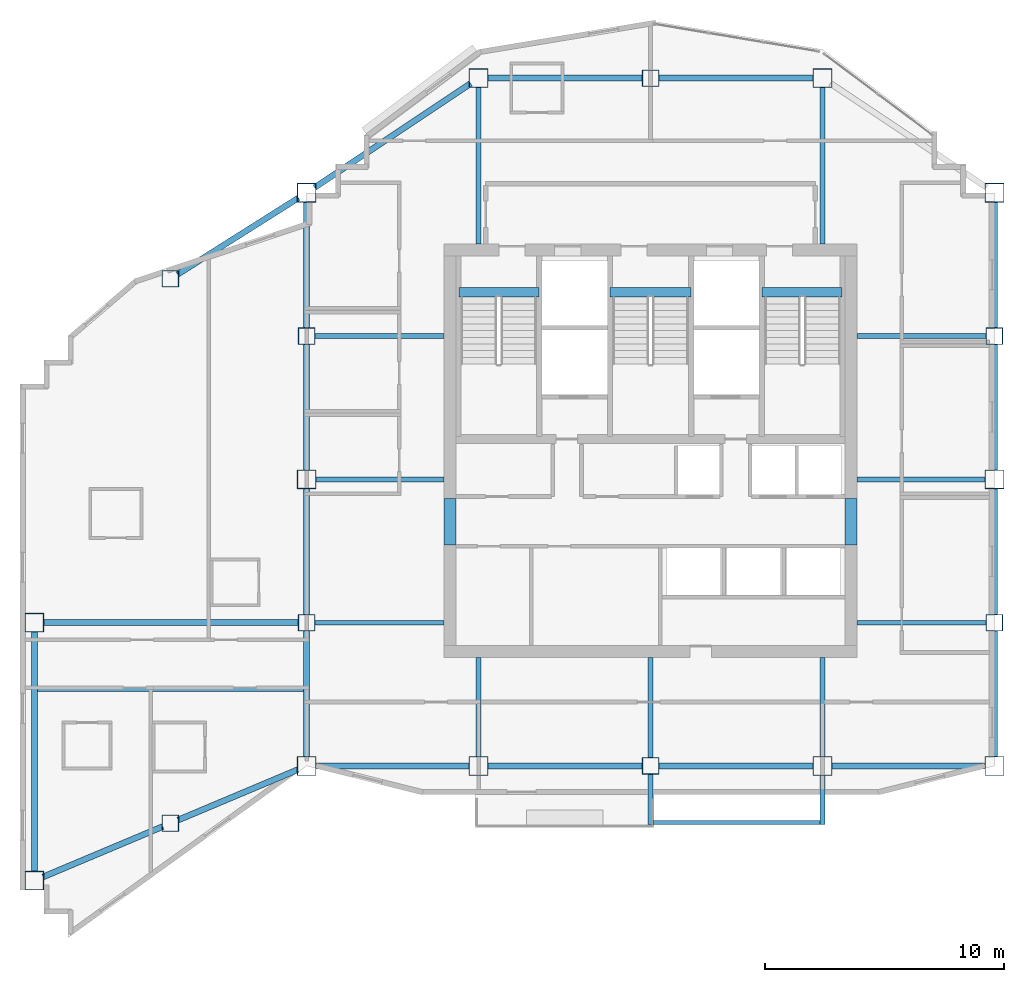
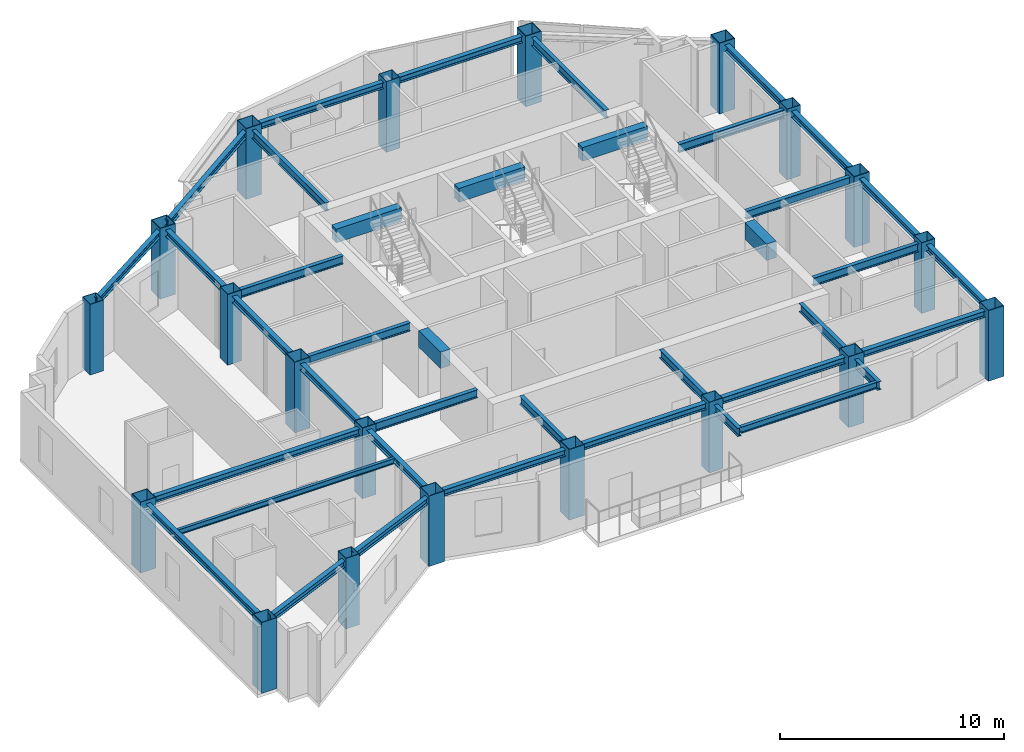
# One storey, part 1 of 9: 40 beams, 20 columns.
"""IFC4 building model written with IfcOpenShell, lengths in metres."""

from ifc_helpers import new_model, si_unit, direction, frame, origin, origin_2d, place, context, subcontext, project, spatial, rectangle, hollow_rectangle, i_section, extrude, material, material_profile, profile_set, type_object, element, save


model = new_model("IFC4")

# Units and contexts
model_context = context("Model", 3, precision=1e-05, world=origin(), true_north=direction((0.0, 1.0)))
body_context = subcontext(model_context, "Body", "Model", "MODEL_VIEW")
ifc_project = project(units=[si_unit("LENGTHUNIT", "METRE"), si_unit("AREAUNIT", "SQUARE_METRE"), si_unit("VOLUMEUNIT", "CUBIC_METRE"), si_unit("PLANEANGLEUNIT", "RADIAN"), si_unit("MASSUNIT", "GRAM", prefix="KILO")], contexts=[model_context])

# Site, building, storey
site_placement = place(None, origin())
site = spatial("IfcSite", under=ifc_project, at=site_placement, CompositionType="ELEMENT")
building_placement = place(site_placement, origin())
building = spatial("IfcBuilding", under=site, at=building_placement, Name="Haolan Belvedere Tower", CompositionType="ELEMENT")
storey_placement = place(building_placement, frame((0.0, 0.0, 242.89990234375)))
storey = spatial("IfcBuildingStorey", under=building, at=storey_placement, Name="L61", CompositionType="ELEMENT", Elevation=242.89990234375)

# Columns
ifc_material_1 = material(Name="Steel Q390GJC", Category="steel")
ifc_material_profile_1 = material_profile(ifc_material_1, hollow_rectangle(XDim=0.699951171875, YDim=0.699951171875, WallThickness=0.02587890625, at=origin_2d()), Name="Steel Q390GJC")
ifc_profile_set_1 = profile_set([ifc_material_profile_1], Name="Steel Q390GJC")
column_type_1 = type_object("IfcColumnType", Name="COL-BOX700x700x26", PredefinedType="COLUMN", material=ifc_profile_set_1)
for number, where, z_axis, x_axis, name in (
    (1, (24.0, 27.60009765625, 0.0), (0.0, 0.0, 1.0), (1.0, 0.0, 0.0), "L61 column TC-T3-W1 (BOX700x700x26)"),
    (2, (24.0, 39.60009765625, 0.0), (0.0, 0.0, 1.0), (1.0, 0.0, 0.0), "L61 column TC-T3-W2 (BOX700x700x26)"),
    (3, (52.800048828125, 27.60009765625, 0.0), (0.0, 0.0, 1.0), (1.0, 0.0, 0.0), "L61 column TC-T3-E1 (BOX700x700x26)"),
    (4, (52.800048828125, 39.60009765625, 0.0), (0.0, 0.0, 1.0), (1.0, 0.0, 0.0), "L61 column TC-T3-E2 (BOX700x700x26)"),
    (5, (38.39990234375, 21.60009765625, 0.0), (0.0, 0.0, 1.0), (1.0, 0.0, 0.0), "L61 column TC-T3-SM (BOX700x700x26)"),
    (6, (38.39990234375, 50.39990234375, 0.0), (0.0, 0.0, 1.0), (1.0, 0.0, 0.0), "L61 column TC-T3-NM (BOX700x700x26)"),
    (7, (18.300048828125, 19.199951171875, 0.0), (0.0, 0.0, 1.0), (1.0, 0.0, 0.0), "L61 column TC-T2-S1 (BOX700x700x26)"),
    (8, (18.300048828125, 42.0, 0.0), (0.0, 0.0, 1.0), (1.0, 0.0, 0.0), "L61 column TC-T2-N1 (BOX700x700x26)"),
):
    element("IfcColumn", number, at=place(storey_placement, frame(where, z_axis=z_axis, x_axis=x_axis)), inside=storey, type_object=column_type_1, Name=name, PredefinedType="COLUMN", context=body_context, shape_type="SweptSolid", body=[
        extrude(hollow_rectangle(XDim=0.699951171875, YDim=0.699951171875, WallThickness=0.02587890625, at=origin_2d()), origin(), (0.0, 0.0, 1.0), 3.85009765625),
    ])
ifc_material_profile_2 = material_profile(ifc_material_1, hollow_rectangle(XDim=0.800048828125, YDim=0.800048828125, WallThickness=0.030029296875, at=origin_2d()), Name="Steel Q390GJC")
ifc_profile_set_2 = profile_set([ifc_material_profile_2], Name="Steel Q390GJC")
column_type_2 = type_object("IfcColumnType", Name="COL-BOX800x800x30", PredefinedType="COLUMN", material=ifc_profile_set_2)
for number, where, z_axis, x_axis, name in (
    (9, (24.0, 21.60009765625, 0.0), (0.0, 0.0, 1.0), (1.0, 0.0, 0.0), "L61 column MC-T3-SW (BOX800x800x30)"),
    (10, (24.0, 33.60009765625, 0.0), (0.0, 0.0, 1.0), (1.0, 0.0, 0.0), "L61 column MC-T3-MW (BOX800x800x30)"),
    (11, (24.0, 45.60009765625, 0.0), (0.0, 0.0, 1.0), (1.0, 0.0, 0.0), "L61 column MC-T3-NW (BOX800x800x30)"),
    (12, (52.800048828125, 21.60009765625, 0.0), (0.0, 0.0, 1.0), (1.0, 0.0, 0.0), "L61 column MC-T3-SE (BOX800x800x30)"),
    (13, (52.800048828125, 33.60009765625, 0.0), (0.0, 0.0, 1.0), (1.0, 0.0, 0.0), "L61 column MC-T3-ME (BOX800x800x30)"),
    (14, (52.800048828125, 45.60009765625, 0.0), (0.0, 0.0, 1.0), (1.0, 0.0, 0.0), "L61 column MC-T3-NE (BOX800x800x30)"),
    (15, (31.199951171875, 21.60009765625, 0.0), (0.0, 0.0, 1.0), (1.0, 0.0, 0.0), "L61 column MC-T3-S1 (BOX800x800x30)"),
    (16, (45.60009765625, 21.60009765625, 0.0), (0.0, 0.0, 1.0), (1.0, 0.0, 0.0), "L61 column MC-T3-S2 (BOX800x800x30)"),
    (17, (31.199951171875, 50.39990234375, 0.0), (0.0, 0.0, 1.0), (1.0, 0.0, 0.0), "L61 column MC-T3-N1 (BOX800x800x30)"),
    (18, (45.60009765625, 50.39990234375, 0.0), (0.0, 0.0, 1.0), (1.0, 0.0, 0.0), "L61 column MC-T3-N2 (BOX800x800x30)"),
    (19, (12.60009765625, 16.800048828125, 0.0), (0.0, 0.0, 1.0), (1.0, 0.0, 0.0), "L61 column MC-T2-SW (BOX800x800x30)"),
    (20, (12.60009765625, 27.60009765625, 0.0), (0.0, 0.0, 1.0), (1.0, 0.0, 0.0), "L61 column MC-T2-MW (BOX800x800x30)"),
):
    element("IfcColumn", number, at=place(storey_placement, frame(where, z_axis=z_axis, x_axis=x_axis)), inside=storey, type_object=column_type_2, Name=name, PredefinedType="COLUMN", context=body_context, shape_type="SweptSolid", body=[
        extrude(hollow_rectangle(XDim=0.800048828125, YDim=0.800048828125, WallThickness=0.030029296875, at=origin_2d()), origin(), (0.0, 0.0, 1.0), 3.85009765625),
    ])

# Beams
ifc_material_2 = material(Name="Steel Q355B", Category="steel")
ifc_material_profile_3 = material_profile(ifc_material_2, i_section(OverallWidth=0.25, OverallDepth=0.340087890625, WebThickness=0.009033203125, FlangeThickness=0.013916015625, FilletRadius=0.02001953125, at=origin_2d()), Name="Steel Q355B")
ifc_profile_set_3 = profile_set([ifc_material_profile_3], Name="Steel Q355B")
beam_type_1 = type_object("IfcBeamType", Name="BM-HM340x250x9x14", PredefinedType="SPANDREL", material=ifc_profile_set_3)
for number, where, z_axis, x_axis, name in (
    (21, (24.0, 22.0, 3.5), (0.0, 1.0, 0.0), (-1.0, 0.0, 0.0), "L61 spandrel girder MC-T3-SW-TC-T3-W1"),
    (22, (24.0, 27.949951171875, 3.5), (0.0, 1.0, 0.0), (-1.0, 0.0, 0.0), "L61 spandrel girder TC-T3-W1-MC-T3-MW"),
    (23, (24.0, 34.0, 3.5), (0.0, 1.0, 0.0), (-1.0, 0.0, 0.0), "L61 spandrel girder MC-T3-MW-TC-T3-W2"),
    (24, (24.0, 39.949951171875, 3.5), (0.0, 1.0, 0.0), (-1.0, 0.0, 0.0), "L61 spandrel girder TC-T3-W2-MC-T3-NW"),
    (25, (52.800048828125, 22.0, 3.5), (0.0, 1.0, 0.0), (-1.0, 0.0, 0.0), "L61 spandrel girder MC-T3-SE-TC-T3-E1"),
    (26, (52.800048828125, 27.949951171875, 3.5), (0.0, 1.0, 0.0), (-1.0, 0.0, 0.0), "L61 spandrel girder TC-T3-E1-MC-T3-ME"),
    (27, (52.800048828125, 34.0, 3.5), (0.0, 1.0, 0.0), (-1.0, 0.0, 0.0), "L61 spandrel girder MC-T3-ME-TC-T3-E2"),
    (28, (52.800048828125, 39.949951171875, 3.5), (0.0, 1.0, 0.0), (-1.0, 0.0, 0.0), "L61 spandrel girder TC-T3-E2-MC-T3-NE"),
):
    element("IfcBeam", number, at=place(storey_placement, frame(where, z_axis=z_axis, x_axis=x_axis)), inside=storey, type_object=beam_type_1, Name=name, PredefinedType="SPANDREL", context=body_context, shape_type="SweptSolid", body=[
        extrude(i_section(OverallWidth=0.25, OverallDepth=0.340087890625, WebThickness=0.009033203125, FlangeThickness=0.013916015625, FilletRadius=0.02001953125, at=origin_2d()), origin(), (0.0, 0.0, 1.0), 5.25),
    ])
beam_1_placement = place(storey_placement, frame((24.39990234375, 21.60009765625, 3.5), z_axis=(1.0, 0.0, 0.0), x_axis=(0.0, 1.0, 0.0)))
element("IfcBeam", 29, at=beam_1_placement, inside=storey, type_object=beam_type_1, Name="L61 spandrel girder MC-T3-SW-MC-T3-S1", PredefinedType="SPANDREL", context=body_context, shape_type="SweptSolid", body=[
    extrude(i_section(OverallWidth=0.25, OverallDepth=0.340087890625, WebThickness=0.009033203125, FlangeThickness=0.013916015625, FilletRadius=0.02001953125, at=origin_2d()), origin(), (0.0, 0.0, 1.0), 6.400146484375),
])
for number, where, z_axis, x_axis, name in (
    (30, (31.60009765625, 21.60009765625, 3.5), (1.0, 0.0, 0.0), (0.0, 1.0, 0.0), "L61 spandrel girder MC-T3-S1-TC-T3-SM"),
    (31, (38.75, 21.60009765625, 3.5), (1.0, 0.0, 0.0), (0.0, 1.0, 0.0), "L61 spandrel girder TC-T3-SM-MC-T3-S2"),
):
    element("IfcBeam", number, at=place(storey_placement, frame(where, z_axis=z_axis, x_axis=x_axis)), inside=storey, type_object=beam_type_1, Name=name, PredefinedType="SPANDREL", context=body_context, shape_type="SweptSolid", body=[
        extrude(i_section(OverallWidth=0.25, OverallDepth=0.340087890625, WebThickness=0.009033203125, FlangeThickness=0.013916015625, FilletRadius=0.02001953125, at=origin_2d()), origin(), (0.0, 0.0, 1.0), 6.449951171875),
    ])
beam_2_placement = place(storey_placement, frame((46.0, 21.60009765625, 3.5), z_axis=(1.0, 0.0, 0.0), x_axis=(0.0, 1.0, 0.0)))
element("IfcBeam", 32, at=beam_2_placement, inside=storey, type_object=beam_type_1, Name="L61 spandrel girder MC-T3-S2-MC-T3-SE", PredefinedType="SPANDREL", context=body_context, shape_type="SweptSolid", body=[
    extrude(i_section(OverallWidth=0.25, OverallDepth=0.340087890625, WebThickness=0.009033203125, FlangeThickness=0.013916015625, FilletRadius=0.02001953125, at=origin_2d()), origin(), (0.0, 0.0, 1.0), 6.39990234375),
])
beam_3_placement = place(storey_placement, frame((24.332763671875, 45.82177734375, 3.5), z_axis=(0.832040729016, 0.55471454394, 0.0), x_axis=(-0.55471454394, 0.832040729016, 0.0)))
element("IfcBeam", 33, at=beam_3_placement, inside=storey, type_object=beam_type_1, Name="L61 spandrel girder MC-T3-NW-MC-T3-N1", PredefinedType="SPANDREL", context=body_context, shape_type="SweptSolid", body=[
    extrude(i_section(OverallWidth=0.25, OverallDepth=0.340087890625, WebThickness=0.009033203125, FlangeThickness=0.013916015625, FilletRadius=0.02001953125, at=origin_2d()), origin(), (0.0, 0.0, 1.0), 7.853515625),
])
for number, where, z_axis, x_axis, name in (
    (34, (31.60009765625, 50.39990234375, 3.5), (1.0, 0.0, 0.0), (0.0, 1.0, 0.0), "L61 spandrel girder MC-T3-N1-TC-T3-NM"),
    (35, (38.75, 50.39990234375, 3.5), (1.0, 0.0, 0.0), (0.0, 1.0, 0.0), "L61 spandrel girder TC-T3-NM-MC-T3-N2"),
):
    element("IfcBeam", number, at=place(storey_placement, frame(where, z_axis=z_axis, x_axis=x_axis)), inside=storey, type_object=beam_type_1, Name=name, PredefinedType="SPANDREL", context=body_context, shape_type="SweptSolid", body=[
        extrude(i_section(OverallWidth=0.25, OverallDepth=0.340087890625, WebThickness=0.009033203125, FlangeThickness=0.013916015625, FilletRadius=0.02001953125, at=origin_2d()), origin(), (0.0, 0.0, 1.0), 6.449951171875),
    ])
beam_4_placement = place(storey_placement, frame((12.60009765625, 17.199951171875, 3.5), z_axis=(0.0, 1.0, 0.0), x_axis=(-1.0, 0.0, 0.0)))
element("IfcBeam", 36, at=beam_4_placement, inside=storey, type_object=beam_type_1, Name="L61 spandrel girder MC-T2-SW-MC-T2-MW", PredefinedType="SPANDREL", context=body_context, shape_type="SweptSolid", body=[
    extrude(i_section(OverallWidth=0.25, OverallDepth=0.340087890625, WebThickness=0.009033203125, FlangeThickness=0.013916015625, FilletRadius=0.02001953125, at=origin_2d()), origin(), (0.0, 0.0, 1.0), 10.0),
])
for number, where, z_axis, x_axis, name in (
    (37, (12.96875, 16.955322265625, 3.5), (0.921640448717, 0.388044950088, 0.0), (-0.388044950088, 0.921640448717, 0.0), "L61 spandrel girder MC-T2-SW-TC-T2-S1"),
    (38, (18.62255859375, 19.3359375, 3.5), (0.921640448717, 0.388044950088, 0.0), (-0.388044950088, 0.921640448717, 0.0), "L61 spandrel girder TC-T2-S1-MC-T3-SW"),
):
    element("IfcBeam", number, at=place(storey_placement, frame(where, z_axis=z_axis, x_axis=x_axis)), inside=storey, type_object=beam_type_1, Name=name, PredefinedType="SPANDREL", context=body_context, shape_type="SweptSolid", body=[
        extrude(i_section(OverallWidth=0.25, OverallDepth=0.340087890625, WebThickness=0.009033203125, FlangeThickness=0.013916015625, FilletRadius=0.02001953125, at=origin_2d()), origin(), (0.0, 0.0, 1.0), 5.4345703125),
    ])
beam_5_placement = place(storey_placement, frame((18.595947265625, 42.18701171875, 3.5), z_axis=(0.845493744187, 0.533985326148, 0.0), x_axis=(-0.533985326148, 0.845493744187, 0.0)))
element("IfcBeam", 39, at=beam_5_placement, inside=storey, type_object=beam_type_1, Name="L61 spandrel girder TC-T2-N1-MC-T3-NW", PredefinedType="SPANDREL", context=body_context, shape_type="SweptSolid", body=[
    extrude(i_section(OverallWidth=0.25, OverallDepth=0.340087890625, WebThickness=0.009033203125, FlangeThickness=0.013916015625, FilletRadius=0.02001953125, at=origin_2d()), origin(), (0.0, 0.0, 1.0), 5.99169921875),
])
beam_6_placement = place(storey_placement, frame((13.0, 27.60009765625, 3.5), z_axis=(1.0, 0.0, 0.0), x_axis=(0.0, 1.0, 0.0)))
element("IfcBeam", 40, at=beam_6_placement, inside=storey, type_object=beam_type_1, Name="L61 spandrel girder MC-T2-MW-TC-T3-W1", PredefinedType="SPANDREL", context=body_context, shape_type="SweptSolid", body=[
    extrude(i_section(OverallWidth=0.25, OverallDepth=0.340087890625, WebThickness=0.009033203125, FlangeThickness=0.013916015625, FilletRadius=0.02001953125, at=origin_2d()), origin(), (0.0, 0.0, 1.0), 10.64990234375),
])
ifc_material_profile_4 = material_profile(ifc_material_2, i_section(OverallWidth=0.14990234375, OverallDepth=0.300048828125, WebThickness=0.006591796875, FlangeThickness=0.009033203125, FilletRadius=0.012939453125, at=origin_2d()), Name="Steel Q355B")
ifc_profile_set_4 = profile_set([ifc_material_profile_4], Name="Steel Q355B")
beam_type_2 = type_object("IfcBeamType", Name="BM-HN300x150x6.5x9", PredefinedType="JOIST", material=ifc_profile_set_4)
beam_7_placement = place(storey_placement, frame((12.72509765625, 24.800048828125, 3.52001953125), z_axis=(1.0, 0.0, 0.0), x_axis=(0.0, 1.0, 0.0)))
element("IfcBeam", 41, at=beam_7_placement, inside=storey, type_object=beam_type_2, Name="L61 west wing floor joist 1", PredefinedType="JOIST", context=body_context, shape_type="SweptSolid", body=[
    extrude(i_section(OverallWidth=0.14990234375, OverallDepth=0.300048828125, WebThickness=0.006591796875, FlangeThickness=0.009033203125, FilletRadius=0.012939453125, at=origin_2d()), origin(), (0.0, 0.0, 1.0), 11.14990234375),
])
ifc_material_profile_5 = material_profile(ifc_material_2, i_section(OverallWidth=0.175048828125, OverallDepth=0.35009765625, WebThickness=0.007080078125, FlangeThickness=0.010986328125, FilletRadius=0.012939453125, at=origin_2d()), Name="Steel Q355B")
ifc_profile_set_5 = profile_set([ifc_material_profile_5], Name="Steel Q355B")
beam_type_3 = type_object("IfcBeamType", Name="BM-HN350x175x7x11", PredefinedType="JOIST", material=ifc_profile_set_5)
beam_8_placement = place(storey_placement, frame((38.5, 19.239990234375, 3.445068359375), z_axis=(1.0, 0.0, 0.0), x_axis=(0.0, 1.0, 0.0)))
element("IfcBeam", 42, at=beam_8_placement, inside=storey, type_object=beam_type_3, Name="L62 tree-balcony front trimmer beam 1", PredefinedType="BEAM", context=body_context, shape_type="SweptSolid", body=[
    extrude(i_section(OverallWidth=0.175048828125, OverallDepth=0.35009765625, WebThickness=0.007080078125, FlangeThickness=0.010986328125, FilletRadius=0.012939453125, at=origin_2d()), origin(), (0.0, 0.0, 1.0), 7.0),
])
ifc_material_profile_6 = material_profile(ifc_material_2, i_section(OverallWidth=0.199951171875, OverallDepth=0.449951171875, WebThickness=0.009033203125, FlangeThickness=0.013916015625, FilletRadius=0.01611328125, at=origin_2d()), Name="Steel Q355B")
ifc_profile_set_6 = profile_set([ifc_material_profile_6], Name="Steel Q355B")
beam_type_4 = type_object("IfcBeamType", Name="BM-HN450x200x9x14", PredefinedType="BEAM", material=ifc_profile_set_6)
beam_9_placement = place(storey_placement, frame((24.39990234375, 33.60009765625, 3.445068359375), z_axis=(1.0, 0.0, 0.0), x_axis=(0.0, 1.0, 0.0)))
element("IfcBeam", 43, at=beam_9_placement, inside=storey, type_object=beam_type_4, Name="L61 core tie beam from MC-T3-MW", PredefinedType="BEAM", context=body_context, shape_type="SweptSolid", body=[
    extrude(i_section(OverallWidth=0.199951171875, OverallDepth=0.449951171875, WebThickness=0.009033203125, FlangeThickness=0.013916015625, FilletRadius=0.01611328125, at=origin_2d()), origin(), (0.0, 0.0, 1.0), 5.35009765625),
])
for number, where, z_axis, x_axis, name in (
    (44, (24.35009765625, 27.60009765625, 3.445068359375), (1.0, 0.0, 0.0), (0.0, 1.0, 0.0), "L61 core tie beam from TC-T3-W1"),
    (45, (24.35009765625, 39.60009765625, 3.445068359375), (1.0, 0.0, 0.0), (0.0, 1.0, 0.0), "L61 core tie beam from TC-T3-W2"),
):
    element("IfcBeam", number, at=place(storey_placement, frame(where, z_axis=z_axis, x_axis=x_axis)), inside=storey, type_object=beam_type_4, Name=name, PredefinedType="BEAM", context=body_context, shape_type="SweptSolid", body=[
        extrude(i_section(OverallWidth=0.199951171875, OverallDepth=0.449951171875, WebThickness=0.009033203125, FlangeThickness=0.013916015625, FilletRadius=0.01611328125, at=origin_2d()), origin(), (0.0, 0.0, 1.0), 5.39990234375),
    ])
beam_10_placement = place(storey_placement, frame((52.39990234375, 33.60009765625, 3.445068359375), z_axis=(-1.0, 0.0, 0.0), x_axis=(0.0, -1.0, 0.0)))
element("IfcBeam", 46, at=beam_10_placement, inside=storey, type_object=beam_type_4, Name="L61 core tie beam from MC-T3-ME", PredefinedType="BEAM", context=body_context, shape_type="SweptSolid", body=[
    extrude(i_section(OverallWidth=0.199951171875, OverallDepth=0.449951171875, WebThickness=0.009033203125, FlangeThickness=0.013916015625, FilletRadius=0.01611328125, at=origin_2d()), origin(), (0.0, 0.0, 1.0), 5.349853515625),
])
for number, where, z_axis, x_axis, name in (
    (47, (52.449951171875, 27.60009765625, 3.445068359375), (-1.0, 0.0, 0.0), (0.0, -1.0, 0.0), "L61 core tie beam from TC-T3-E1"),
    (48, (52.449951171875, 39.60009765625, 3.445068359375), (-1.0, 0.0, 0.0), (0.0, -1.0, 0.0), "L61 core tie beam from TC-T3-E2"),
):
    element("IfcBeam", number, at=place(storey_placement, frame(where, z_axis=z_axis, x_axis=x_axis)), inside=storey, type_object=beam_type_4, Name=name, PredefinedType="BEAM", context=body_context, shape_type="SweptSolid", body=[
        extrude(i_section(OverallWidth=0.199951171875, OverallDepth=0.449951171875, WebThickness=0.009033203125, FlangeThickness=0.013916015625, FilletRadius=0.01611328125, at=origin_2d()), origin(), (0.0, 0.0, 1.0), 5.39990234375),
    ])
beam_11_placement = place(storey_placement, frame((31.199951171875, 22.0, 3.445068359375), z_axis=(0.0, 1.0, 0.0), x_axis=(-1.0, 0.0, 0.0)))
element("IfcBeam", 49, at=beam_11_placement, inside=storey, type_object=beam_type_4, Name="L61 core tie beam from MC-T3-S1", PredefinedType="BEAM", context=body_context, shape_type="SweptSolid", body=[
    extrude(i_section(OverallWidth=0.199951171875, OverallDepth=0.449951171875, WebThickness=0.009033203125, FlangeThickness=0.013916015625, FilletRadius=0.01611328125, at=origin_2d()), origin(), (0.0, 0.0, 1.0), 4.14990234375),
])
beam_12_placement = place(storey_placement, frame((38.39990234375, 21.949951171875, 3.445068359375), z_axis=(0.0, 1.0, 0.0), x_axis=(-1.0, 0.0, 0.0)))
element("IfcBeam", 50, at=beam_12_placement, inside=storey, type_object=beam_type_4, Name="L61 core tie beam from TC-T3-SM", PredefinedType="BEAM", context=body_context, shape_type="SweptSolid", body=[
    extrude(i_section(OverallWidth=0.199951171875, OverallDepth=0.449951171875, WebThickness=0.009033203125, FlangeThickness=0.013916015625, FilletRadius=0.01611328125, at=origin_2d()), origin(), (0.0, 0.0, 1.0), 4.199951171875),
])
beam_13_placement = place(storey_placement, frame((45.60009765625, 22.0, 3.445068359375), z_axis=(0.0, 1.0, 0.0), x_axis=(-1.0, 0.0, 0.0)))
element("IfcBeam", 51, at=beam_13_placement, inside=storey, type_object=beam_type_4, Name="L61 core tie beam from MC-T3-S2", PredefinedType="BEAM", context=body_context, shape_type="SweptSolid", body=[
    extrude(i_section(OverallWidth=0.199951171875, OverallDepth=0.449951171875, WebThickness=0.009033203125, FlangeThickness=0.013916015625, FilletRadius=0.01611328125, at=origin_2d()), origin(), (0.0, 0.0, 1.0), 4.14990234375),
])
for number, where, z_axis, x_axis, name in (
    (52, (31.199951171875, 50.0, 3.445068359375), (0.0, -1.0, 0.0), (1.0, 0.0, 0.0), "L61 core tie beam from MC-T3-N1"),
    (53, (45.60009765625, 50.0, 3.445068359375), (0.0, -1.0, 0.0), (1.0, 0.0, 0.0), "L61 core tie beam from MC-T3-N2"),
):
    element("IfcBeam", number, at=place(storey_placement, frame(where, z_axis=z_axis, x_axis=x_axis)), inside=storey, type_object=beam_type_4, Name=name, PredefinedType="BEAM", context=body_context, shape_type="SweptSolid", body=[
        extrude(i_section(OverallWidth=0.199951171875, OverallDepth=0.449951171875, WebThickness=0.009033203125, FlangeThickness=0.013916015625, FilletRadius=0.01611328125, at=origin_2d()), origin(), (0.0, 0.0, 1.0), 6.550048828125),
    ])
beam_14_placement = place(storey_placement, frame((38.39990234375, 21.25, 3.39501953125), z_axis=(0.0, -1.0, 0.0), x_axis=(1.0, 0.0, 0.0)))
element("IfcBeam", 54, at=beam_14_placement, inside=storey, type_object=beam_type_4, Name="L62 tree-balcony column cantilever TC-T3-SM", PredefinedType="BEAM", context=body_context, shape_type="SweptSolid", body=[
    extrude(i_section(OverallWidth=0.199951171875, OverallDepth=0.449951171875, WebThickness=0.009033203125, FlangeThickness=0.013916015625, FilletRadius=0.01611328125, at=origin_2d()), origin(), (0.0, 0.0, 1.0), 2.110107421875),
])
beam_15_placement = place(storey_placement, frame((45.60009765625, 21.199951171875, 3.39501953125), z_axis=(0.0, -1.0, 0.0), x_axis=(1.0, 0.0, 0.0)))
element("IfcBeam", 55, at=beam_15_placement, inside=storey, type_object=beam_type_4, Name="L62 tree-balcony column cantilever MC-T3-S2", PredefinedType="BEAM", context=body_context, shape_type="SweptSolid", body=[
    extrude(i_section(OverallWidth=0.199951171875, OverallDepth=0.449951171875, WebThickness=0.009033203125, FlangeThickness=0.013916015625, FilletRadius=0.01611328125, at=origin_2d()), origin(), (0.0, 0.0, 1.0), 2.06005859375),
])
ifc_material_3 = material(Name="Concrete C50/60", Category="concrete")
ifc_material_profile_7 = material_profile(ifc_material_3, rectangle(XDim=0.39990234375, YDim=0.75, at=origin_2d()), Name="Concrete C50/60")
ifc_profile_set_7 = profile_set([ifc_material_profile_7], Name="Concrete C50/60")
beam_type_5 = type_object("IfcBeamType", Name="BM-RC400x750", PredefinedType="T_BEAM", material=ifc_profile_set_7)
beam_16_placement = place(storey_placement, frame((30.3798828125, 41.429931640625, 3.47509765625), z_axis=(1.0, 0.0, 0.0), x_axis=(0.0, 1.0, 0.0)))
element("IfcBeam", 56, at=beam_16_placement, inside=storey, type_object=beam_type_5, Name="L62 stair ST1 RC header trimmer beam", PredefinedType="BEAM", context=body_context, shape_type="SweptSolid", body=[
    extrude(rectangle(XDim=0.39990234375, YDim=0.75, at=origin_2d()), origin(), (0.0, 0.0, 1.0), 3.360107421875),
])
beam_17_placement = place(storey_placement, frame((36.699951171875, 41.429931640625, 3.47509765625), z_axis=(1.0, 0.0, 0.0), x_axis=(0.0, 1.0, 0.0)))
element("IfcBeam", 57, at=beam_17_placement, inside=storey, type_object=beam_type_5, Name="L62 stair ST3 RC header trimmer beam", PredefinedType="BEAM", context=body_context, shape_type="SweptSolid", body=[
    extrude(rectangle(XDim=0.39990234375, YDim=0.75, at=origin_2d()), origin(), (0.0, 0.0, 1.0), 3.400146484375),
])
beam_18_placement = place(storey_placement, frame((43.06005859375, 41.429931640625, 3.47509765625), z_axis=(1.0, 0.0, 0.0), x_axis=(0.0, 1.0, 0.0)))
element("IfcBeam", 58, at=beam_18_placement, inside=storey, type_object=beam_type_5, Name="L62 stair ST2 RC header trimmer beam", PredefinedType="BEAM", context=body_context, shape_type="SweptSolid", body=[
    extrude(rectangle(XDim=0.39990234375, YDim=0.75, at=origin_2d()), origin(), (0.0, 0.0, 1.0), 3.35986328125),
])
ifc_material_4 = material(Name="Concrete C60/75", Category="concrete")
ifc_material_profile_8 = material_profile(ifc_material_4, rectangle(XDim=0.5, YDim=0.89990234375, at=origin_2d()), Name="Concrete C60/75")
ifc_profile_set_8 = profile_set([ifc_material_profile_8], Name="Concrete C60/75")
beam_type_6 = type_object("IfcBeamType", Name="BM-RC500x900", PredefinedType="LINTEL", material=ifc_profile_set_8)
for number, where, z_axis, x_axis, name in (
    (59, (30.0, 30.85009765625, 3.22021484375), (0.0, 1.0, 0.0), (-1.0, 0.0, 0.0), "L61 west core coupling beam CB-01"),
    (60, (46.800048828125, 30.85009765625, 3.22021484375), (0.0, 1.0, 0.0), (-1.0, 0.0, 0.0), "L61 east core coupling beam CB-01"),
):
    element("IfcBeam", number, at=place(storey_placement, frame(where, z_axis=z_axis, x_axis=x_axis)), inside=storey, type_object=beam_type_6, Name=name, PredefinedType="LINTEL", context=body_context, shape_type="SweptSolid", body=[
        extrude(rectangle(XDim=0.5, YDim=0.89990234375, at=origin_2d()), origin(), (0.0, 0.0, 1.0), 1.949951171875),
    ])

save(model, "model.ifc")
